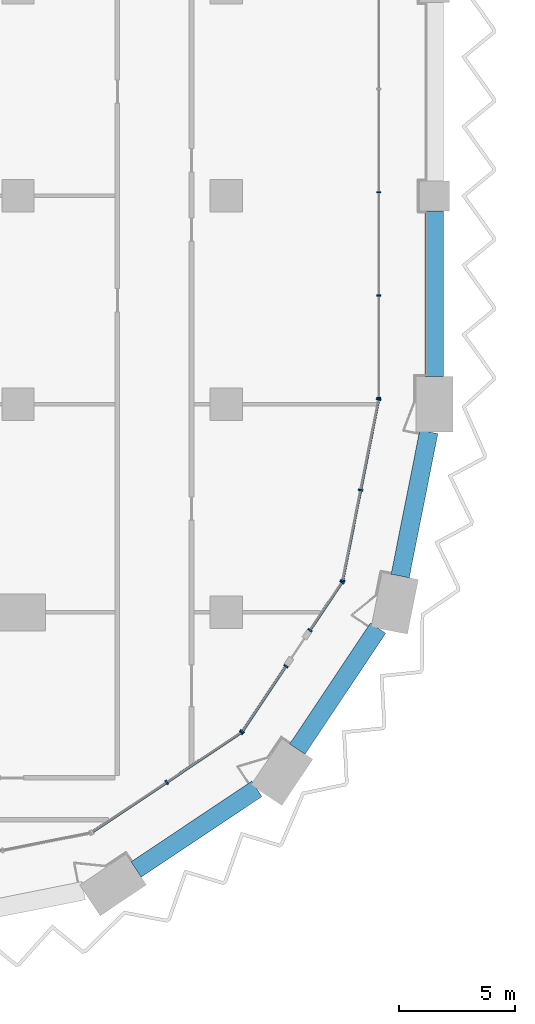
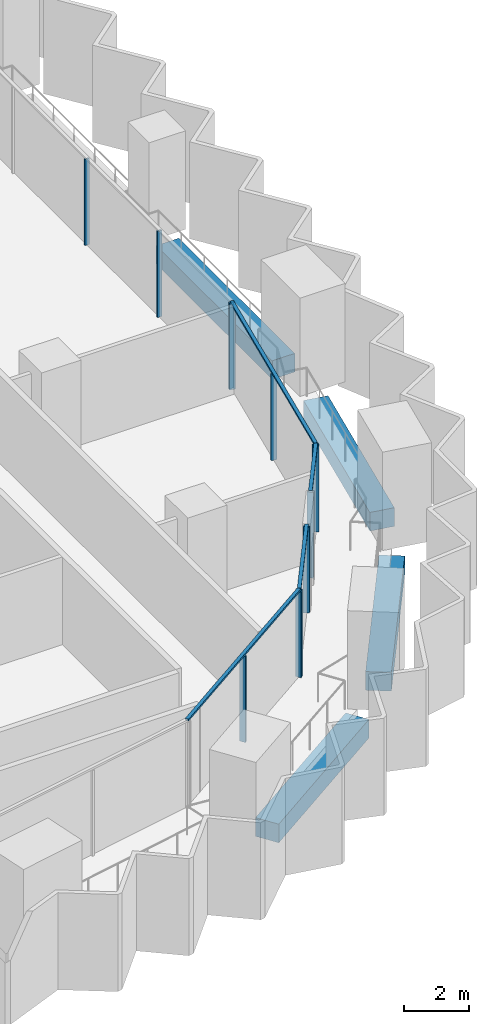
# One storey, part 3 of 29: 16 members, 4 beams, 5 elements without a shape of their own.
"""IFC4 building model written with IfcOpenShell, lengths in metres."""

from ifc_helpers import new_model, si_unit, direction, frame, origin, origin_2d, place, context, subcontext, project, spatial, rectangle, extrude, material, material_profile, profile_set, type_object, element, aggregate, save


model = new_model("IFC4")

# Units and contexts
model_context = context("Model", 3, precision=1e-05, world=origin(), true_north=direction((0.0, 1.0)))
body_context = subcontext(model_context, "Body", "Model", "MODEL_VIEW")
ifc_project = project(units=[si_unit("LENGTHUNIT", "METRE"), si_unit("AREAUNIT", "SQUARE_METRE"), si_unit("VOLUMEUNIT", "CUBIC_METRE"), si_unit("PLANEANGLEUNIT", "RADIAN"), si_unit("MASSUNIT", "GRAM", prefix="KILO")], contexts=[model_context])

# Site, building, storey
site_placement = place(None, origin())
site = spatial("IfcSite", under=ifc_project, at=site_placement, CompositionType="ELEMENT")
building_placement = place(site_placement, origin())
building = spatial("IfcBuilding", under=site, at=building_placement, Name="Hunhe Ridgeline Campus", CompositionType="ELEMENT")
storey_placement = place(building_placement, frame((0.0, 0.0, 54.300048828125)))
storey = spatial("IfcBuildingStorey", under=building, at=storey_placement, Name="L12", CompositionType="ELEMENT", Elevation=54.300048828125)

# Curtain wall, members
ifc_material_1 = material(Name="Aluminium 6063", Category="aluminium")
curtain_wall_type_1 = type_object("IfcCurtainWallType", Name="Curtain wall CW-1", PredefinedType="NOTDEFINED", material=ifc_material_1)
curtain_wall_1_placement = place(storey_placement, origin())
curtain_wall_1 = element("IfcCurtainWall", 1, at=curtain_wall_1_placement, inside=storey, type_object=curtain_wall_type_1, Name="Curtain wall 11", PredefinedType="NOTDEFINED")
ifc_material_profile_1 = material_profile(ifc_material_1, rectangle(XDim=0.159912109375, YDim=0.06005859375, at=origin_2d()))
ifc_profile_set_1 = profile_set([ifc_material_profile_1], Name="Aluminium 6063")
member_type_1 = type_object("IfcMemberType", Name="CW-1 aluminium mullion", PredefinedType="MULLION", material=ifc_profile_set_1)
member_1_placement = place(storey_placement, frame((42.59912109375, 27.266357421875, 0.0), z_axis=(0.0, 0.0, 1.0), x_axis=(-1.0, 1.8682e-07, 0.0)))
member_1 = element("IfcMember", 2, at=member_1_placement, type_object=member_type_1, Name="CW-1 mullion 1", PredefinedType="MULLION", context=body_context, shape_type="SweptSolid", body=[
    extrude(rectangle(XDim=0.159912109375, YDim=0.06005859375, at=origin_2d()), origin(), (0.0, 0.0, 1.0), 3.239990234375),
])
member_2_placement = place(storey_placement, frame((42.59912109375, 31.697021484375, 0.0), z_axis=(0.0, 0.0, 1.0), x_axis=(-1.0, 1.8682e-07, 0.0)))
member_2 = element("IfcMember", 3, at=member_2_placement, type_object=member_type_1, Name="CW-1 mullion 2", PredefinedType="MULLION", context=body_context, shape_type="SweptSolid", body=[
    extrude(rectangle(XDim=0.159912109375, YDim=0.06005859375, at=origin_2d()), origin(), (0.0, 0.0, 1.0), 3.239990234375),
])
member_3_placement = place(storey_placement, frame((42.59912109375, 36.15771484375, 0.0), z_axis=(0.0, 0.0, 1.0), x_axis=(-1.0, 1.8682e-07, 0.0)))
member_3 = element("IfcMember", 4, at=member_3_placement, type_object=member_type_1, Name="CW-1 mullion 3", PredefinedType="MULLION", context=body_context, shape_type="SweptSolid", body=[
    extrude(rectangle(XDim=0.159912109375, YDim=0.06005859375, at=origin_2d()), origin(), (0.0, 0.0, 1.0), 3.239990234375),
])
aggregate(curtain_wall_1, [member_1, member_2, member_3])

curtain_wall_type_2 = type_object("IfcCurtainWallType", Name="Curtain wall CW-5", PredefinedType="NOTDEFINED", material=ifc_material_1)
curtain_wall_2_placement = place(storey_placement, origin())
curtain_wall_2 = element("IfcCurtainWall", 5, at=curtain_wall_2_placement, inside=storey, type_object=curtain_wall_type_2, Name="Curtain wall 07", PredefinedType="NOTDEFINED")
ifc_material_profile_2 = material_profile(ifc_material_1, rectangle(XDim=0.199951171875, YDim=0.070068359375, at=origin_2d()))
ifc_profile_set_2 = profile_set([ifc_material_profile_2], Name="Aluminium 6063")
member_type_2 = type_object("IfcMemberType", Name="CW-5 aluminium mullion", PredefinedType="MULLION", material=ifc_profile_set_2)
member_4_placement = place(storey_placement, frame((33.42626953125, 10.647705078125, 0.0), z_axis=(0.0, 0.0, 1.0), x_axis=(-0.555570274596, 0.831469584522, 0.0)))
member_4 = element("IfcMember", 6, at=member_4_placement, type_object=member_type_2, Name="CW-5 mullion 2", PredefinedType="MULLION", context=body_context, shape_type="SweptSolid", body=[
    extrude(rectangle(XDim=0.199951171875, YDim=0.070068359375, at=origin_2d()), origin(), (0.0, 0.0, 1.0), 3.22998046875),
])
member_5_placement = place(storey_placement, frame((36.649658203125, 12.8017578125, 0.0), z_axis=(0.0, 0.0, 1.0), x_axis=(-0.555570274596, 0.831469584522, 0.0)))
member_5 = element("IfcMember", 7, at=member_5_placement, type_object=member_type_2, Name="CW-5 mullion 3", PredefinedType="MULLION", context=body_context, shape_type="SweptSolid", body=[
    extrude(rectangle(XDim=0.199951171875, YDim=0.070068359375, at=origin_2d()), origin(), (0.0, 0.0, 1.0), 3.22998046875),
])

curtain_wall_3_placement = place(storey_placement, origin())
curtain_wall_3 = element("IfcCurtainWall", 8, at=curtain_wall_3_placement, inside=storey, type_object=curtain_wall_type_2, Name="Curtain wall 08", PredefinedType="NOTDEFINED")
member_6_placement = place(storey_placement, frame((36.6982421875, 12.850341796875, 0.0), z_axis=(0.0, 0.0, 1.0), x_axis=(-0.831469595944, 0.555570257501, 0.0)))
member_6 = element("IfcMember", 9, at=member_6_placement, type_object=member_type_2, Name="CW-5 mullion 1", PredefinedType="MULLION", context=body_context, shape_type="SweptSolid", body=[
    extrude(rectangle(XDim=0.199951171875, YDim=0.070068359375, at=origin_2d()), origin(), (0.0, 0.0, 1.0), 3.22998046875),
])
member_7_placement = place(storey_placement, frame((38.582763671875, 15.67041015625, 0.0), z_axis=(0.0, 0.0, 1.0), x_axis=(-0.831469595944, 0.555570257501, 0.0)))
member_7 = element("IfcMember", 10, at=member_7_placement, type_object=member_type_2, Name="CW-5 mullion 2", PredefinedType="MULLION", context=body_context, shape_type="SweptSolid", body=[
    extrude(rectangle(XDim=0.199951171875, YDim=0.070068359375, at=origin_2d()), origin(), (0.0, 0.0, 1.0), 3.22998046875),
])

curtain_wall_4_placement = place(storey_placement, origin())
curtain_wall_4 = element("IfcCurtainWall", 11, at=curtain_wall_4_placement, inside=storey, type_object=curtain_wall_type_2, Name="Curtain wall 09", PredefinedType="NOTDEFINED")
member_8_placement = place(storey_placement, frame((39.62158203125, 17.225341796875, 0.0), z_axis=(0.0, 0.0, 1.0), x_axis=(-0.831469510353, 0.555570385598, 0.0)))
member_8 = element("IfcMember", 12, at=member_8_placement, type_object=member_type_2, Name="CW-5 mullion 1", PredefinedType="MULLION", context=body_context, shape_type="SweptSolid", body=[
    extrude(rectangle(XDim=0.199951171875, YDim=0.070068359375, at=origin_2d()), origin(), (0.0, 0.0, 1.0), 3.22998046875),
])
member_9_placement = place(storey_placement, frame((41.006103515625, 19.29736328125, 0.0), z_axis=(0.0, 0.0, 1.0), x_axis=(-0.831469510353, 0.555570385598, 0.0)))
member_9 = element("IfcMember", 13, at=member_9_placement, type_object=member_type_2, Name="CW-5 mullion 2", PredefinedType="MULLION", context=body_context, shape_type="SweptSolid", body=[
    extrude(rectangle(XDim=0.199951171875, YDim=0.070068359375, at=origin_2d()), origin(), (0.0, 0.0, 1.0), 3.22998046875),
])

curtain_wall_5_placement = place(storey_placement, origin())
curtain_wall_5 = element("IfcCurtainWall", 14, at=curtain_wall_5_placement, inside=storey, type_object=curtain_wall_type_2, Name="Curtain wall 10", PredefinedType="NOTDEFINED")
member_10_placement = place(storey_placement, frame((41.032470703125, 19.36083984375, 0.0), z_axis=(0.0, 0.0, 1.0), x_axis=(-0.980785284939, 0.195090299215, 0.0)))
member_10 = element("IfcMember", 15, at=member_10_placement, type_object=member_type_2, Name="CW-5 mullion 1", PredefinedType="MULLION", context=body_context, shape_type="SweptSolid", body=[
    extrude(rectangle(XDim=0.199951171875, YDim=0.070068359375, at=origin_2d()), origin(), (0.0, 0.0, 1.0), 3.22998046875),
])
member_11_placement = place(storey_placement, frame((41.812255859375, 23.281494140625, 0.0), z_axis=(0.0, 0.0, 1.0), x_axis=(-0.980785284939, 0.195090299215, 0.0)))
member_11 = element("IfcMember", 16, at=member_11_placement, type_object=member_type_2, Name="CW-5 mullion 2", PredefinedType="MULLION", context=body_context, shape_type="SweptSolid", body=[
    extrude(rectangle(XDim=0.199951171875, YDim=0.070068359375, at=origin_2d()), origin(), (0.0, 0.0, 1.0), 3.22998046875),
])
member_12_placement = place(storey_placement, frame((42.59228515625, 27.2021484375, 0.0), z_axis=(0.0, 0.0, 1.0), x_axis=(-0.980785284939, 0.195090299215, 0.0)))
member_12 = element("IfcMember", 17, at=member_12_placement, type_object=member_type_2, Name="CW-5 mullion 3", PredefinedType="MULLION", context=body_context, shape_type="SweptSolid", body=[
    extrude(rectangle(XDim=0.199951171875, YDim=0.070068359375, at=origin_2d()), origin(), (0.0, 0.0, 1.0), 3.22998046875),
])

# Member
ifc_material_profile_3 = material_profile(ifc_material_1, rectangle(XDim=0.1201171875, YDim=0.070068359375, at=origin_2d()))
ifc_profile_set_3 = profile_set([ifc_material_profile_3], Name="Aluminium 6063")
member_type_3 = type_object("IfcMemberType", Name="CW-5 aluminium transom", PredefinedType="USERDEFINED", material=ifc_profile_set_3)
member_13_placement = place(storey_placement, frame((30.173583984375, 8.474365234375, 3.264892578125), z_axis=(0.831473763475, 0.5555640203, 0.0), x_axis=(-0.5555640203, 0.831473763475, 0.0)))
member_13 = element("IfcMember", 18, at=member_13_placement, type_object=member_type_3, Name="CW-5 transom 1", ObjectType="TRANSOM", PredefinedType="USERDEFINED", context=body_context, shape_type="SweptSolid", body=[
    extrude(rectangle(XDim=0.1201171875, YDim=0.070068359375, at=origin_2d()), origin(), (0.0, 0.0, 1.0), 7.823974609375),
])

aggregate(curtain_wall_2, [member_13, member_4, member_5])

member_14_placement = place(storey_placement, frame((36.678955078125, 12.821044921875, 3.264892578125), z_axis=(0.555546133463, 0.831485714606, 0.0), x_axis=(-0.831485714606, 0.555546133463, 0.0)))
member_14 = element("IfcMember", 19, at=member_14_placement, type_object=member_type_3, Name="CW-5 transom 1", ObjectType="TRANSOM", PredefinedType="USERDEFINED", context=body_context, shape_type="SweptSolid", body=[
    extrude(rectangle(XDim=0.1201171875, YDim=0.070068359375, at=origin_2d()), origin(), (0.0, 0.0, 1.0), 3.462158203125),
])

aggregate(curtain_wall_3, [member_14, member_6, member_7])

member_15_placement = place(storey_placement, frame((39.602294921875, 17.1962890625, 3.264892578125), z_axis=(0.555579547735, 0.831463388334, 0.0), x_axis=(-0.831463388334, 0.555579547735, 0.0)))
member_15 = element("IfcMember", 20, at=member_15_placement, type_object=member_type_3, Name="CW-5 transom 1", ObjectType="TRANSOM", PredefinedType="USERDEFINED", context=body_context, shape_type="SweptSolid", body=[
    extrude(rectangle(XDim=0.1201171875, YDim=0.070068359375, at=origin_2d()), origin(), (0.0, 0.0, 1.0), 2.56201171875),
])

aggregate(curtain_wall_4, [member_15, member_8, member_9])

member_16_placement = place(storey_placement, frame((41.025634765625, 19.326416015625, 3.264892578125), z_axis=(0.195097290093, 0.980783894341, 0.0), x_axis=(-0.980783894341, 0.195097290093, 0.0)))
member_16 = element("IfcMember", 21, at=member_16_placement, type_object=member_type_3, Name="CW-5 transom 1", ObjectType="TRANSOM", PredefinedType="USERDEFINED", context=body_context, shape_type="SweptSolid", body=[
    extrude(rectangle(XDim=0.1201171875, YDim=0.070068359375, at=origin_2d()), origin(), (0.0, 0.0, 1.0), 8.065185546875),
])

aggregate(curtain_wall_5, [member_16, member_10, member_11, member_12])

# Beams
ifc_material_2 = material(Name="Concrete C60", Category="concrete")
ifc_material_profile_4 = material_profile(ifc_material_2, rectangle(XDim=0.800048828125, YDim=0.699951171875, at=origin_2d()))
ifc_profile_set_4 = profile_set([ifc_material_profile_4], Name="Concrete C60")
beam_type = type_object("IfcBeamType", Name="RC spandrel beam 800x700 Concrete C60", PredefinedType="SPANDREL", material=ifc_profile_set_4)
for number, where, z_axis, x_axis, name in (
    (22, (32.108154296875, 6.87939453125, -0.60009765625), (0.831469696846, 0.555570106491, 0.0), (-0.555570106491, 0.831469696846, 0.0), "Spandrel beam B1-6 L12"),
    (23, (39.07666015625, 12.087890625, -0.60009765625), (0.555570106491, 0.831469696846, 0.0), (-0.831469696846, 0.555570106491, 0.0), "Spandrel beam B1-7 L12"),
):
    element("IfcBeam", number, at=place(storey_placement, frame(where, z_axis=z_axis, x_axis=x_axis)), inside=storey, type_object=beam_type, Name=name, PredefinedType="SPANDREL", context=body_context, shape_type="SweptSolid", body=[
        extrude(rectangle(XDim=0.800048828125, YDim=0.699951171875, at=origin_2d()), origin(), (0.0, 0.0, 1.0), 6.280029296875),
    ])
beam_1_placement = place(storey_placement, frame((43.521484375, 19.566650390625, -0.60009765625), z_axis=(0.195067021304, 0.980789914915, 0.0), x_axis=(-0.980789914915, 0.195067021304, 0.0)))
element("IfcBeam", 24, at=beam_1_placement, inside=storey, type_object=beam_type, Name="Spandrel beam B1-8 L12", PredefinedType="SPANDREL", context=body_context, shape_type="SweptSolid", body=[
    extrude(rectangle(XDim=0.800048828125, YDim=0.699951171875, at=origin_2d()), origin(), (0.0, 0.0, 1.0), 6.35546875),
])
beam_2_placement = place(storey_placement, frame((45.0, 28.199951171875, -0.60009765625), z_axis=(0.0, 1.0, 0.0), x_axis=(-1.0, 0.0, 0.0)))
element("IfcBeam", 25, at=beam_2_placement, inside=storey, type_object=beam_type, Name="Spandrel beam B1-9 L12", PredefinedType="SPANDREL", context=body_context, shape_type="SweptSolid", body=[
    extrude(rectangle(XDim=0.800048828125, YDim=0.699951171875, at=origin_2d()), origin(), (0.0, 0.0, 1.0), 7.150146484375),
])

save(model, "model.ifc")
